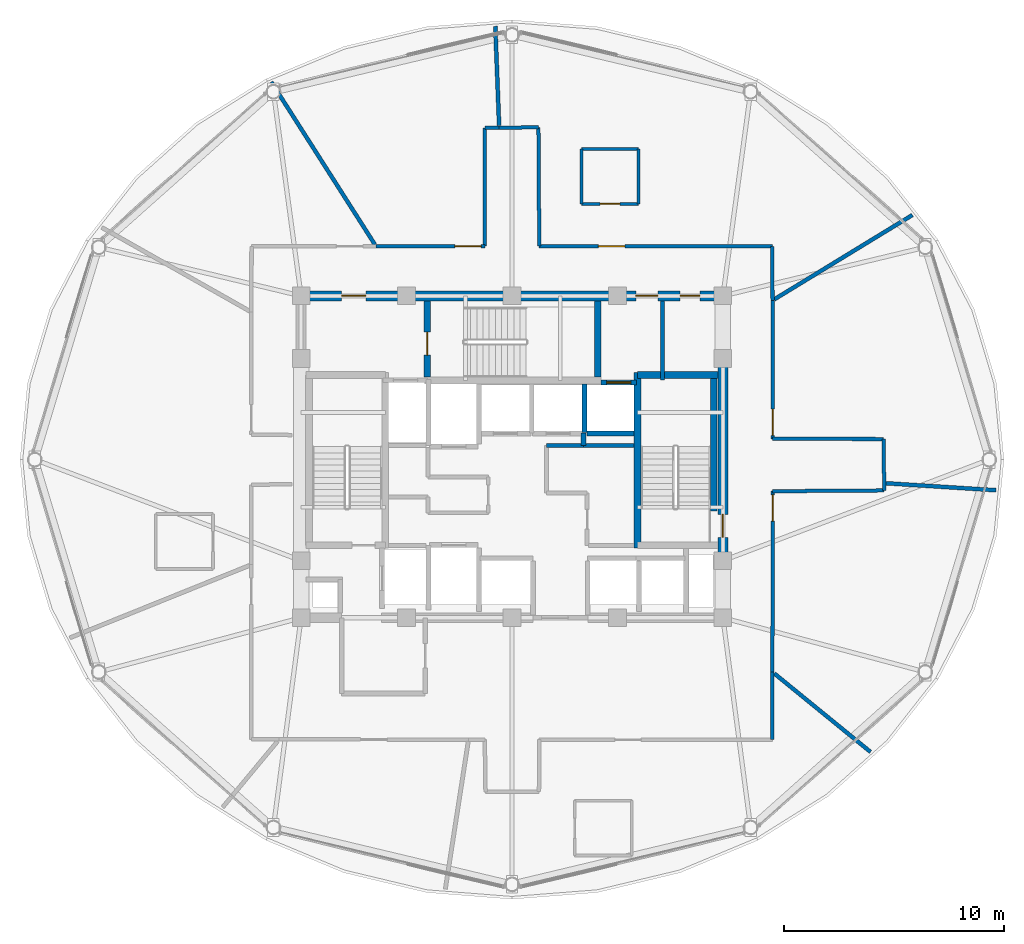
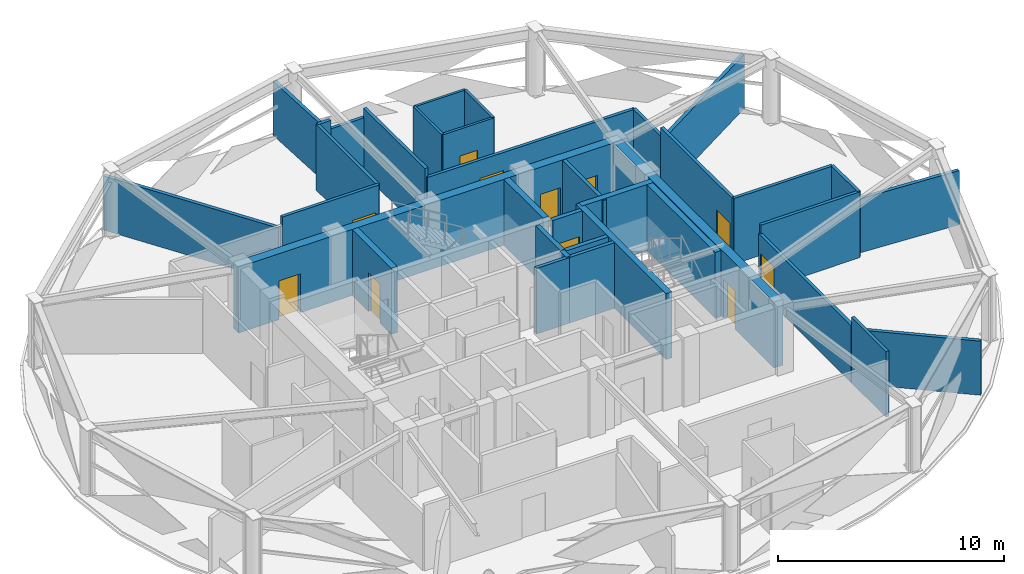
# One storey, part 23 of 28: 36 walls, 11 doors, 11 openings.
"""IFC4 building model written with IfcOpenShell, lengths in metres."""

from ifc_helpers import new_model, si_unit, direction, frame, frame_2d, origin, place, context, subcontext, project, spatial, rectangle, extrude, material, layer, layer_set, type_object, element, fill, save


model = new_model("IFC4")

# Units and contexts
model_context = context("Model", 3, precision=1e-05, world=origin(), true_north=direction((0.0, 1.0)))
body_context = subcontext(model_context, "Body", "Model", "MODEL_VIEW")
ifc_project = project(units=[si_unit("LENGTHUNIT", "METRE"), si_unit("AREAUNIT", "SQUARE_METRE"), si_unit("VOLUMEUNIT", "CUBIC_METRE"), si_unit("PLANEANGLEUNIT", "RADIAN"), si_unit("MASSUNIT", "GRAM", prefix="KILO")], contexts=[model_context])

# Site, building, storey
site_placement = place(None, origin())
site = spatial("IfcSite", under=ifc_project, at=site_placement, CompositionType="ELEMENT")
building_placement = place(site_placement, origin())
building = spatial("IfcBuilding", under=site, at=building_placement, Name="Vantalir Tower", CompositionType="ELEMENT")
storey_placement = place(building_placement, frame((0.0, 0.0, 246.14990234375)))
storey = spatial("IfcBuildingStorey", under=building, at=storey_placement, Name="L62", CompositionType="ELEMENT", Elevation=246.14990234375)

# Wall, opening, door
ifc_material_1 = material(Name="Moisture-resistant en-suite partition", Category="gypsum")
ifc_layer_1 = layer(ifc_material_1, 0.125)
ifc_layer_set_1 = layer_set([ifc_layer_1], Name="Moisture-resistant en-suite partition")
wall_type_1 = type_object("IfcWallType", Name="WL-BATH-125", PredefinedType="PARTITIONING", material=ifc_layer_set_1)
wall_1_placement = place(storey_placement, frame((34.6630859375, 36.635986328125, 0.0), z_axis=(0.0, 0.0, 1.0), x_axis=(1.0, 0.0, 0.0)))
wall_1 = element("IfcWall", 1, at=wall_1_placement, inside=storey, type_object=wall_type_1, Name="L62 En-suite 01 South Wall", PredefinedType="PARTITIONING", context=body_context, shape_type="SweptSolid", body=[
    extrude(rectangle(XDim=2.599853515625, YDim=0.125, at=frame_2d((1.2998046875, 0.0))), origin(), (0.0, 0.0, 1.0), 3.550048828125),
])
opening_1_placement = place(wall_1_placement, frame((0.85009765625, 0.0, 0.0)))
opening_1 = element("IfcOpeningElement", 2, at=opening_1_placement, cuts=wall_1, Name="Opening D-WC", PredefinedType="OPENING", context=body_context, shape_type="SweptSolid", body=[
    extrude(rectangle(XDim=0.89990234375, YDim=2.10009765625, at=frame_2d((0.449951171875, 1.050048828125))), frame((0.0, 0.072509765625, 0.0), z_axis=(0.0, -1.0, 0.0), x_axis=(1.0, 0.0, 0.0)), (0.0, 0.0, 1.0), 0.14501953125),
])
ifc_material_2 = material(Name="Moisture-resistant hardwood door", Category="wood")
door_type_1 = type_object("IfcDoorType", Name="DR-ENSUITE-900", OperationType="NOTDEFINED", PredefinedType="DOOR", material=ifc_material_2)
door_1_placement = place(opening_1_placement, origin())
door_1 = element("IfcDoor", 3, at=door_1_placement, inside=storey, type_object=door_type_1, Name="L62 En-suite 01 Door", OperationType="SINGLE_SWING_RIGHT", OverallHeight=2.10009765625, OverallWidth=0.89990234375, PredefinedType="DOOR", context=body_context, shape_type="SweptSolid", body=[
    extrude(rectangle(XDim=0.89990234375, YDim=2.10009765625, at=frame_2d((0.449951171875, 1.050048828125))), frame((0.0, 0.02490234375, 0.0), z_axis=(0.0, -1.0, 0.0), x_axis=(1.0, 0.0, 0.0)), (0.0, 0.0, 1.0), 0.050048828125),
])
fill(opening_1, door_1)

# Walls
wall_2_placement = place(storey_placement, frame((34.6630859375, 39.135986328125, 0.0), z_axis=(0.0, 0.0, 1.0), x_axis=(1.0, 0.0, 0.0)))
element("IfcWall", 4, at=wall_2_placement, inside=storey, type_object=wall_type_1, Name="L62 En-suite 01 North Wall", PredefinedType="PARTITIONING", context=body_context, shape_type="SweptSolid", body=[
    extrude(rectangle(XDim=2.599853515625, YDim=0.125, at=frame_2d((1.2998046875, 0.0))), origin(), (0.0, 0.0, 1.0), 3.550048828125),
])
for number, where, z_axis, x_axis, name in (
    (5, (34.6630859375, 36.635986328125, 0.0), (0.0, 0.0, 1.0), (0.0, 1.0, 0.0), "L62 En-suite 01 West Wall"),
    (6, (37.262939453125, 36.635986328125, 0.0), (0.0, 0.0, 1.0), (0.0, 1.0, 0.0), "L62 En-suite 01 East Wall"),
):
    element("IfcWall", number, at=place(storey_placement, frame(where, z_axis=z_axis, x_axis=x_axis)), inside=storey, type_object=wall_type_1, Name=name, PredefinedType="PARTITIONING", context=body_context, shape_type="SweptSolid", body=[
        extrude(rectangle(XDim=2.5, YDim=0.125, at=frame_2d((1.25, 0.0))), origin(), (0.0, 0.0, 1.0), 3.550048828125),
    ])

# Wall, openings, doors
ifc_material_3 = material(Name="Concrete C50/60", Category="concrete")
ifc_layer_2 = layer(ifc_material_3, 0.449951171875)
ifc_layer_set_2 = layer_set([ifc_layer_2], Name="Concrete C50/60")
wall_type_2 = type_object("IfcWallType", Name="WL-CORE-450", PredefinedType="SHEAR", material=ifc_layer_set_2)
wall_3_placement = place(storey_placement, frame((21.675048828125, 32.449951171875, 0.0), z_axis=(0.0, 0.0, 1.0), x_axis=(1.0, 0.0, 0.0)))
wall_3 = element("IfcWall", 7, at=wall_3_placement, inside=storey, type_object=wall_type_2, Name="L62 Core Shear Wall North", PredefinedType="SHEAR", context=body_context, shape_type="SweptSolid", body=[
    extrude(rectangle(XDim=19.64990234375, YDim=0.449951171875, at=frame_2d((9.824951171875, 0.0))), origin(), (0.0, 0.0, 1.0), 3.570068359375),
])
opening_2_placement = place(wall_3_placement, frame((2.074951171875, 0.0, 0.0)))
opening_2 = element("IfcOpeningElement", 8, at=opening_2_placement, cuts=wall_3, Name="Opening D-FFL", PredefinedType="OPENING", context=body_context, shape_type="SweptSolid", body=[
    extrude(rectangle(XDim=1.10009765625, YDim=2.10009765625, at=frame_2d((0.550048828125, 1.050048828125))), frame((0.0, 0.23486328125, 0.0), z_axis=(0.0, -1.0, 0.0), x_axis=(1.0, 0.0, 0.0)), (0.0, 0.0, 1.0), 0.469970703125),
])
opening_3_placement = place(wall_3_placement, frame((15.465087890625, 0.0, 0.0)))
opening_3 = element("IfcOpeningElement", 9, at=opening_3_placement, cuts=wall_3, Name="Opening D-GUEST", PredefinedType="OPENING", context=body_context, shape_type="SweptSolid", body=[
    extrude(rectangle(XDim=1.0, YDim=2.10009765625, at=frame_2d((0.5, 1.050048828125))), frame((0.0, 0.23486328125, 0.0), z_axis=(0.0, -1.0, 0.0), x_axis=(1.0, 0.0, 0.0)), (0.0, 0.0, 1.0), 0.469970703125),
])
opening_4_placement = place(wall_3_placement, frame((17.47509765625, 0.0, 0.0)))
opening_4 = element("IfcOpeningElement", 10, at=opening_4_placement, cuts=wall_3, Name="Opening D-CR", PredefinedType="OPENING", context=body_context, shape_type="SweptSolid", body=[
    extrude(rectangle(XDim=0.89990234375, YDim=2.10009765625, at=frame_2d((0.449951171875, 1.050048828125))), frame((0.0, 0.23486328125, 0.0), z_axis=(0.0, -1.0, 0.0), x_axis=(1.0, 0.0, 0.0)), (0.0, 0.0, 1.0), 0.469970703125),
])
ifc_material_4 = material(Name="Fire-rated steel core service door", Category="steel")
door_type_2 = type_object("IfcDoorType", Name="DR-CORE-SERV-900", OperationType="NOTDEFINED", PredefinedType="DOOR", material=ifc_material_4)
door_2_placement = place(opening_4_placement, frame((0.89990234375, 0.0, 0.0), z_axis=(0.0, 0.0, 1.0), x_axis=(-1.0, 0.0, 0.0)))
door_2 = element("IfcDoor", 11, at=door_2_placement, inside=storey, type_object=door_type_2, Name="L62 Housekeeping and Linen Room Door", OperationType="SINGLE_SWING_RIGHT", OverallHeight=2.10009765625, OverallWidth=0.89990234375, PredefinedType="DOOR", context=body_context, shape_type="SweptSolid", body=[
    extrude(rectangle(XDim=0.89990234375, YDim=2.10009765625, at=frame_2d((0.449951171875, 1.050048828125))), frame((0.0, 0.02490234375, 0.0), z_axis=(0.0, -1.0, 0.0), x_axis=(1.0, 0.0, 0.0)), (0.0, 0.0, 1.0), 0.050048828125),
])
fill(opening_4, door_2)
ifc_material_5 = material(Name="Fire-rated acoustic steel door", Category="steel")
door_type_3 = type_object("IfcDoorType", Name="DR-FIRE-LOBBY-1100", OperationType="NOTDEFINED", PredefinedType="DOOR", material=ifc_material_5)
door_3_placement = place(opening_2_placement, frame((1.10009765625, 0.0, 0.0), z_axis=(0.0, 0.0, 1.0), x_axis=(-1.0, 0.0, 0.0)))
door_3 = element("IfcDoor", 12, at=door_3_placement, inside=storey, type_object=door_type_3, Name="L62 Firefighting Lobby East Access Door", OperationType="SINGLE_SWING_RIGHT", OverallHeight=2.10009765625, OverallWidth=1.10009765625, PredefinedType="DOOR", context=body_context, shape_type="SweptSolid", body=[
    extrude(rectangle(XDim=1.10009765625, YDim=2.10009765625, at=frame_2d((0.550048828125, 1.050048828125))), frame((0.0, 0.02490234375, 0.0), z_axis=(0.0, -1.0, 0.0), x_axis=(1.0, 0.0, 0.0)), (0.0, 0.0, 1.0), 0.050048828125),
])
fill(opening_2, door_3)
ifc_material_6 = material(Name="Solid-core teak veneer acoustic fire door", Category="wood")
door_type_4 = type_object("IfcDoorType", Name="DR-GUEST-ENTRY-1000", OperationType="NOTDEFINED", PredefinedType="DOOR", material=ifc_material_6)
door_4_placement = place(opening_3_placement, frame((1.0, 0.0, 0.0), z_axis=(0.0, 0.0, 1.0), x_axis=(-1.0, 0.0, 0.0)))
door_4 = element("IfcDoor", 13, at=door_4_placement, inside=storey, type_object=door_type_4, Name="L62 High-Rise Lift Lobby Door", OperationType="SINGLE_SWING_LEFT", OverallHeight=2.10009765625, OverallWidth=1.0, PredefinedType="DOOR", context=body_context, shape_type="SweptSolid", body=[
    extrude(rectangle(XDim=1.0, YDim=2.10009765625, at=frame_2d((0.5, 1.050048828125))), frame((0.0, 0.02490234375, 0.0), z_axis=(0.0, -1.0, 0.0), x_axis=(1.0, 0.0, 0.0)), (0.0, 0.0, 1.0), 0.050048828125),
])
fill(opening_3, door_4)

# Wall, opening, door
wall_4_placement = place(storey_placement, frame((41.10009765625, 18.02490234375, 0.0), z_axis=(0.0, 0.0, 1.0), x_axis=(0.0, 1.0, 0.0)))
wall_4 = element("IfcWall", 14, at=wall_4_placement, inside=storey, type_object=wall_type_2, Name="L62 Core Shear Wall East", PredefinedType="SHEAR", context=body_context, shape_type="SweptSolid", body=[
    extrude(rectangle(XDim=14.2001953125, YDim=0.449951171875, at=frame_2d((7.10009765625, 0.0))), origin(), (0.0, 0.0, 1.0), 3.570068359375),
])
opening_5_placement = place(wall_4_placement, frame((3.43505859375, 0.0, 0.0)))
opening_5 = element("IfcOpeningElement", 15, at=opening_5_placement, cuts=wall_4, Name="Opening D-ST", PredefinedType="OPENING", context=body_context, shape_type="SweptSolid", body=[
    extrude(rectangle(XDim=1.050048828125, YDim=2.10009765625, at=frame_2d((0.52490234375, 1.050048828125))), frame((0.0, 0.23486328125, 0.0), z_axis=(0.0, -1.0, 0.0), x_axis=(1.0, 0.0, 0.0)), (0.0, 0.0, 1.0), 0.469970703125),
])
ifc_material_7 = material(Name="Fire-rated steel door leaf", Category="steel")
door_type_5 = type_object("IfcDoorType", Name="DR-FIRE-STAIR-1050", OperationType="NOTDEFINED", PredefinedType="DOOR", material=ifc_material_7)
door_5_placement = place(opening_5_placement, origin())
door_5 = element("IfcDoor", 16, at=door_5_placement, inside=storey, type_object=door_type_5, Name="L62 Exit Stair ST2 Fire Door", OperationType="SINGLE_SWING_LEFT", OverallHeight=2.10009765625, OverallWidth=1.050048828125, PredefinedType="DOOR", context=body_context, shape_type="SweptSolid", body=[
    extrude(rectangle(XDim=1.050048828125, YDim=2.10009765625, at=frame_2d((0.52490234375, 1.050048828125))), frame((0.0, 0.02490234375, 0.0), z_axis=(0.0, -1.0, 0.0), x_axis=(1.0, 0.0, 0.0)), (0.0, 0.0, 1.0), 0.050048828125),
])
fill(opening_5, door_5)

ifc_material_8 = material(Name="Fire-rated hotel corridor acoustic partition", Category="gypsum")
ifc_layer_3 = layer(ifc_material_8, 0.159912109375)
ifc_layer_set_3 = layer_set([ifc_layer_3], Name="Fire-rated hotel corridor acoustic partition")
wall_type_3 = type_object("IfcWallType", Name="WL-CORR-160", PredefinedType="PARTITIONING", material=ifc_layer_set_3)
wall_5_placement = place(storey_placement, frame((25.31103515625, 34.7080078125, 0.0), z_axis=(0.0, 0.0, 1.0), x_axis=(0.999998976672, 0.001430613701, 0.0)))
wall_5 = element("IfcWall", 17, at=wall_5_placement, inside=storey, type_object=wall_type_3, Name="L62 Corridor Partition 05", PredefinedType="PARTITIONING", context=body_context, shape_type="SweptSolid", body=[
    extrude(rectangle(XDim=4.948974609375, YDim=0.159912109375, at=frame_2d((2.474609375, 0.0))), origin(), (0.0, 0.0, 1.0), 3.550048828125),
])
opening_6_placement = place(wall_5_placement, frame((3.589111328125, 0.0, 0.0)))
opening_6 = element("IfcOpeningElement", 18, at=opening_6_placement, cuts=wall_5, Name="Opening D-STE", PredefinedType="OPENING", context=body_context, shape_type="SweptSolid", body=[
    extrude(rectangle(XDim=1.199951171875, YDim=2.10009765625, at=frame_2d((0.60009765625, 1.050048828125))), frame((0.0, 0.08984375, 0.0), z_axis=(0.0, -1.0, 0.0), x_axis=(1.0, 0.0, 0.0)), (0.0, 0.0, 1.0), 0.179931640625),
])
ifc_material_9 = material(Name="Solid-core teak veneer suite entrance door", Category="wood")
door_type_6 = type_object("IfcDoorType", Name="DR-SUITE-ENTRY-1200", OperationType="NOTDEFINED", PredefinedType="DOOR", material=ifc_material_9)
door_6_placement = place(opening_6_placement, origin())
door_6 = element("IfcDoor", 19, at=door_6_placement, inside=storey, type_object=door_type_6, Name="L62 Club Reading Lounge 02 Door", OperationType="SINGLE_SWING_LEFT", OverallHeight=2.10009765625, OverallWidth=1.199951171875, PredefinedType="DOOR", context=body_context, shape_type="SweptSolid", body=[
    extrude(rectangle(XDim=1.199951171875, YDim=2.10009765625, at=frame_2d((0.60009765625, 1.050048828125))), frame((0.0, 0.02490234375, 0.0), z_axis=(0.0, -1.0, 0.0), x_axis=(1.0, 0.0, 0.0)), (0.0, 0.0, 1.0), 0.050048828125),
])
fill(opening_6, door_6)

# Walls
wall_6_placement = place(storey_placement, frame((30.260009765625, 34.715087890625, 0.0), z_axis=(0.0, 0.0, 1.0), x_axis=(0.000544266973, 0.999999851887, 0.0)))
element("IfcWall", 20, at=wall_6_placement, inside=storey, type_object=wall_type_3, Name="L62 Corridor Partition 06", PredefinedType="PARTITIONING", context=body_context, shape_type="SweptSolid", body=[
    extrude(rectangle(XDim=5.3828125, YDim=0.159912109375, at=frame_2d((2.69140625, 0.0))), origin(), (0.0, 0.0, 1.0), 3.550048828125),
])
wall_7_placement = place(storey_placement, frame((30.262939453125, 40.097900390625, 0.0), z_axis=(0.0, 0.0, 1.0), x_axis=(0.999941415543, 0.010824300504, 0.0)))
element("IfcWall", 21, at=wall_7_placement, inside=storey, type_object=wall_type_3, Name="L62 Corridor Partition 07", PredefinedType="PARTITIONING", context=body_context, shape_type="SweptSolid", body=[
    extrude(rectangle(XDim=0.654052734375, YDim=0.159912109375, at=frame_2d((0.3271484375, 0.0))), origin(), (0.0, 0.0, 1.0), 3.550048828125),
])
wall_8_placement = place(storey_placement, frame((30.9169921875, 40.10498046875, 0.0), z_axis=(0.0, 0.0, 1.0), x_axis=(0.999948905048, 0.010108773084, 0.0)))
element("IfcWall", 22, at=wall_8_placement, inside=storey, type_object=wall_type_3, Name="L62 Corridor Partition 08", PredefinedType="PARTITIONING", context=body_context, shape_type="SweptSolid", body=[
    extrude(rectangle(XDim=1.787109375, YDim=0.159912109375, at=frame_2d((0.8935546875, 0.0))), origin(), (0.0, 0.0, 1.0), 3.0810546875),
])
wall_9_placement = place(storey_placement, frame((32.7041015625, 40.123046875, 0.0), z_axis=(0.0, 0.0, 1.0), x_axis=(0.006636123117, -0.999977980693, 0.0)))
element("IfcWall", 23, at=wall_9_placement, inside=storey, type_object=wall_type_3, Name="L62 Corridor Partition 09", PredefinedType="PARTITIONING", context=body_context, shape_type="SweptSolid", body=[
    extrude(rectangle(XDim=5.407958984375, YDim=0.159912109375, at=frame_2d((2.7041015625, 0.0))), origin(), (0.0, 0.0, 1.0), 3.550048828125),
])

# Wall, opening, door
wall_10_placement = place(storey_placement, frame((32.739990234375, 34.715087890625, 0.0), z_axis=(0.0, 0.0, 1.0), x_axis=(0.99999933853, -0.001150191321, 0.0)))
wall_10 = element("IfcWall", 24, at=wall_10_placement, inside=storey, type_object=wall_type_3, Name="L62 Corridor Partition 10", PredefinedType="PARTITIONING", context=body_context, shape_type="SweptSolid", body=[
    extrude(rectangle(XDim=10.613037109375, YDim=0.159912109375, at=frame_2d((5.306640625, 0.0))), origin(), (0.0, 0.0, 1.0), 3.0810546875),
])
opening_7_placement = place(wall_10_placement, frame((2.694091796875, 0.0, 0.0)))
opening_7 = element("IfcOpeningElement", 25, at=opening_7_placement, cuts=wall_10, Name="Opening D-STE", PredefinedType="OPENING", context=body_context, shape_type="SweptSolid", body=[
    extrude(rectangle(XDim=1.199951171875, YDim=2.10009765625, at=frame_2d((0.60009765625, 1.050048828125))), frame((0.0, 0.08984375, 0.0), z_axis=(0.0, -1.0, 0.0), x_axis=(1.0, 0.0, 0.0)), (0.0, 0.0, 1.0), 0.179931640625),
])
door_7_placement = place(opening_7_placement, origin())
door_7 = element("IfcDoor", 26, at=door_7_placement, inside=storey, type_object=door_type_6, Name="L62 Royal Ambassador Hotel Suite 01 Door", OperationType="SINGLE_SWING_RIGHT", OverallHeight=2.10009765625, OverallWidth=1.199951171875, PredefinedType="DOOR", context=body_context, shape_type="SweptSolid", body=[
    extrude(rectangle(XDim=1.199951171875, YDim=2.10009765625, at=frame_2d((0.60009765625, 1.050048828125))), frame((0.0, 0.02490234375, 0.0), z_axis=(0.0, -1.0, 0.0), x_axis=(1.0, 0.0, 0.0)), (0.0, 0.0, 1.0), 0.050048828125),
])
fill(opening_7, door_7)

# Wall
wall_11_placement = place(storey_placement, frame((43.35302734375, 34.702880859375, 0.0), z_axis=(0.0, 0.0, 1.0), x_axis=(0.001587929717, -0.999998739239, 0.0)))
element("IfcWall", 27, at=wall_11_placement, inside=storey, type_object=wall_type_3, Name="L62 Corridor Partition 11", PredefinedType="PARTITIONING", context=body_context, shape_type="SweptSolid", body=[
    extrude(rectangle(XDim=2.4599609375, YDim=0.159912109375, at=frame_2d((1.22998046875, 0.0))), origin(), (0.0, 0.0, 1.0), 3.0810546875),
])

# Wall, opening, door
wall_12_placement = place(storey_placement, frame((43.35693359375, 32.242919921875, 0.0), z_axis=(0.0, 0.0, 1.0), x_axis=(0.00127822648, -0.999999183068, 0.0)))
wall_12 = element("IfcWall", 28, at=wall_12_placement, inside=storey, type_object=wall_type_3, Name="L62 Corridor Partition 12", PredefinedType="PARTITIONING", context=body_context, shape_type="SweptSolid", body=[
    extrude(rectangle(XDim=6.302978515625, YDim=0.159912109375, at=frame_2d((3.1513671875, 0.0))), origin(), (0.0, 0.0, 1.0), 3.550048828125),
])
opening_8_placement = place(wall_12_placement, frame((4.943115234375, 0.0, 0.0)))
opening_8 = element("IfcOpeningElement", 29, at=opening_8_placement, cuts=wall_12, Name="Opening D-STE", PredefinedType="OPENING", context=body_context, shape_type="SweptSolid", body=[
    extrude(rectangle(XDim=1.199951171875, YDim=2.10009765625, at=frame_2d((0.60009765625, 1.050048828125))), frame((0.0, 0.08984375, 0.0), z_axis=(0.0, -1.0, 0.0), x_axis=(1.0, 0.0, 0.0)), (0.0, 0.0, 1.0), 0.179931640625),
])
door_8_placement = place(opening_8_placement, origin())
door_8 = element("IfcDoor", 30, at=door_8_placement, inside=storey, type_object=door_type_6, Name="L62 Executive Sky Boardroom 09 Door", OperationType="SINGLE_SWING_RIGHT", OverallHeight=2.10009765625, OverallWidth=1.199951171875, PredefinedType="DOOR", context=body_context, shape_type="SweptSolid", body=[
    extrude(rectangle(XDim=1.199951171875, YDim=2.10009765625, at=frame_2d((0.60009765625, 1.050048828125))), frame((0.0, 0.02490234375, 0.0), z_axis=(0.0, -1.0, 0.0), x_axis=(1.0, 0.0, 0.0)), (0.0, 0.0, 1.0), 0.050048828125),
])
fill(opening_8, door_8)

# Walls
wall_13_placement = place(storey_placement, frame((43.364990234375, 25.93994140625, 0.0), z_axis=(0.0, 0.0, 1.0), x_axis=(0.999999831724, -0.000580130432, 0.0)))
element("IfcWall", 31, at=wall_13_placement, inside=storey, type_object=wall_type_3, Name="L62 Corridor Partition 13", PredefinedType="PARTITIONING", context=body_context, shape_type="SweptSolid", body=[
    extrude(rectangle(XDim=5.050048828125, YDim=0.159912109375, at=frame_2d((2.52490234375, 0.0))), origin(), (0.0, 0.0, 1.0), 3.550048828125),
])
wall_14_placement = place(storey_placement, frame((48.4150390625, 25.93701171875, 0.0), z_axis=(0.0, 0.0, 1.0), x_axis=(0.010636586698, -0.999943429912, 0.0)))
element("IfcWall", 32, at=wall_14_placement, inside=storey, type_object=wall_type_3, Name="L62 Corridor Partition 14", PredefinedType="PARTITIONING", context=body_context, shape_type="SweptSolid", body=[
    extrude(rectangle(XDim=2.34130859375, YDim=0.159912109375, at=frame_2d((1.170654296875, 0.0))), origin(), (0.0, 0.0, 1.0), 3.550048828125),
])
wall_15_placement = place(storey_placement, frame((48.43994140625, 23.595947265625, 0.0), z_axis=(0.0, 0.0, 1.0), x_axis=(-0.999974996273, -0.007071550702, 0.0)))
element("IfcWall", 33, at=wall_15_placement, inside=storey, type_object=wall_type_3, Name="L62 Corridor Partition 15", PredefinedType="PARTITIONING", context=body_context, shape_type="SweptSolid", body=[
    extrude(rectangle(XDim=5.0751953125, YDim=0.159912109375, at=frame_2d((2.53759765625, 0.0))), origin(), (0.0, 0.0, 1.0), 3.550048828125),
])

# Wall, opening, door
wall_16_placement = place(storey_placement, frame((43.364990234375, 23.56005859375, 0.0), z_axis=(0.0, 0.0, 1.0), x_axis=(-0.001335548165, -0.999999108155, 0.0)))
wall_16 = element("IfcWall", 34, at=wall_16_placement, inside=storey, type_object=wall_type_3, Name="L62 Corridor Partition 16", PredefinedType="PARTITIONING", context=body_context, shape_type="SweptSolid", body=[
    extrude(rectangle(XDim=8.22607421875, YDim=0.159912109375, at=frame_2d((4.113037109375, 0.0))), origin(), (0.0, 0.0, 1.0), 3.0810546875),
])
opening_9_placement = place(wall_16_placement, frame((0.159912109375, 0.0, 0.0)))
opening_9 = element("IfcOpeningElement", 35, at=opening_9_placement, cuts=wall_16, Name="Opening D-STE", PredefinedType="OPENING", context=body_context, shape_type="SweptSolid", body=[
    extrude(rectangle(XDim=1.199951171875, YDim=2.10009765625, at=frame_2d((0.60009765625, 1.050048828125))), frame((0.0, 0.08984375, 0.0), z_axis=(0.0, -1.0, 0.0), x_axis=(1.0, 0.0, 0.0)), (0.0, 0.0, 1.0), 0.179931640625),
])
door_9_placement = place(opening_9_placement, origin())
door_9 = element("IfcDoor", 36, at=door_9_placement, inside=storey, type_object=door_type_6, Name="L62 Executive Sky Boardroom 08 Door", OperationType="SINGLE_SWING_LEFT", OverallHeight=2.10009765625, OverallWidth=1.199951171875, PredefinedType="DOOR", context=body_context, shape_type="SweptSolid", body=[
    extrude(rectangle(XDim=1.199951171875, YDim=2.10009765625, at=frame_2d((0.60009765625, 1.050048828125))), frame((0.0, 0.02490234375, 0.0), z_axis=(0.0, -1.0, 0.0), x_axis=(1.0, 0.0, 0.0)), (0.0, 0.0, 1.0), 0.050048828125),
])
fill(opening_9, door_9)

# Walls
wall_17_placement = place(storey_placement, frame((43.35400390625, 15.333984375, 0.0), z_axis=(0.0, 0.0, 1.0), x_axis=(-0.00127034435, -0.999999193112, 0.0)))
element("IfcWall", 37, at=wall_17_placement, inside=storey, type_object=wall_type_3, Name="L62 Corridor Partition 17", PredefinedType="PARTITIONING", context=body_context, shape_type="SweptSolid", body=[
    extrude(rectangle(XDim=3.074951171875, YDim=0.159912109375, at=frame_2d((1.53759765625, 0.0))), origin(), (0.0, 0.0, 1.0), 3.550048828125),
])
ifc_material_10 = material(Name="Concrete blockwork with fireboard lining", Category="masonry")
ifc_layer_4 = layer(ifc_material_10, 0.219970703125)
ifc_layer_set_4 = layer_set([ifc_layer_4], Name="Concrete blockwork with fireboard lining")
wall_type_4 = type_object("IfcWallType", Name="WL-FFL-220", PredefinedType="PARTITIONING", material=ifc_layer_set_4)
wall_18_placement = place(storey_placement, frame((34.800048828125, 26.22998046875, 0.0), z_axis=(0.0, 0.0, 1.0), x_axis=(0.0, 1.0, 0.0)))
element("IfcWall", 38, at=wall_18_placement, inside=storey, type_object=wall_type_4, Name="L62 High-Rise Lift PL-H2/H3 Shaft Divider", PredefinedType="PARTITIONING", context=body_context, shape_type="SweptSolid", body=[
    extrude(rectangle(XDim=2.2099609375, YDim=0.219970703125, at=frame_2d((1.10498046875, 0.0))), origin(), (0.0, 0.0, 1.0), 3.545166015625),
])
wall_19_placement = place(storey_placement, frame((34.909912109375, 26.18994140625, 0.0), z_axis=(0.0, 0.0, 1.0), x_axis=(1.0, 0.0, 0.0)))
element("IfcWall", 39, at=wall_19_placement, inside=storey, type_object=wall_type_4, Name="L62 High-Rise Lift PL-H3 Rear Shaft Wall", PredefinedType="PARTITIONING", context=body_context, shape_type="SweptSolid", body=[
    extrude(rectangle(XDim=2.14013671875, YDim=0.219970703125, at=frame_2d((1.070068359375, 0.0))), origin(), (0.0, 0.0, 1.0), 3.545166015625),
])

# Wall, opening, door
wall_20_placement = place(storey_placement, frame((35.56005859375, 28.510009765625, 0.0), z_axis=(0.0, 0.0, 1.0), x_axis=(1.0, 0.0, 0.0)))
wall_20 = element("IfcWall", 40, at=wall_20_placement, inside=storey, type_object=wall_type_4, Name="L62 Lift PL-H3 Shaft Front Wall", PredefinedType="PARTITIONING", context=body_context, shape_type="SweptSolid", body=[
    extrude(rectangle(XDim=1.599853515625, YDim=0.219970703125, at=frame_2d((0.7998046875, 0.0))), origin(), (0.0, 0.0, 1.0), 3.550048828125),
])
opening_10_placement = place(wall_20_placement, frame((0.25, 0.0, 0.0)))
opening_10 = element("IfcOpeningElement", 41, at=opening_10_placement, cuts=wall_20, Name="Opening LD-PL-H3", PredefinedType="OPENING", context=body_context, shape_type="SweptSolid", body=[
    extrude(rectangle(XDim=1.10009765625, YDim=2.199951171875, at=frame_2d((0.550048828125, 1.10009765625))), frame((0.0, 0.119873046875, 0.0), z_axis=(0.0, -1.0, 0.0), x_axis=(1.0, 0.0, 0.0)), (0.0, 0.0, 1.0), 0.239990234375),
])
ifc_material_11 = material(Name="Brushed stainless-steel sliding lift landing door", Category="steel")
door_type_7 = type_object("IfcDoorType", Name="DR-LIFT-LANDING-1100", OperationType="DOUBLE_DOOR_SLIDING", PredefinedType="DOOR", material=ifc_material_11)
door_10_placement = place(opening_10_placement, origin())
door_10 = element("IfcDoor", 42, at=door_10_placement, inside=storey, type_object=door_type_7, Name="L62 Lift Landing Door PL-H3", OperationType="DOUBLE_DOOR_SLIDING", OverallHeight=2.199951171875, OverallWidth=1.10009765625, PredefinedType="DOOR", context=body_context, shape_type="SweptSolid", body=[
    extrude(rectangle(XDim=1.10009765625, YDim=2.199951171875, at=frame_2d((0.550048828125, 1.10009765625))), frame((0.0, 0.02490234375, 0.0), z_axis=(0.0, -1.0, 0.0), x_axis=(1.0, 0.0, 0.0)), (0.0, 0.0, 1.0), 0.050048828125),
])
fill(opening_10, door_10)

# Walls
wall_21_placement = place(storey_placement, frame((34.760009765625, 25.64990234375, 0.0), z_axis=(0.0, 0.0, 1.0), x_axis=(0.0, 1.0, 0.0)))
element("IfcWall", 43, at=wall_21_placement, inside=storey, type_object=wall_type_4, Name="L62 High-Rise Shaft Shoulder Wall", PredefinedType="PARTITIONING", context=body_context, shape_type="SweptSolid", body=[
    extrude(rectangle(XDim=0.570068359375, YDim=0.219970703125, at=frame_2d((0.28515625, 0.0))), origin(), (0.0, 0.0, 1.0), 3.550048828125),
])
ifc_material_12 = material(Name="Twin-stud acoustic fire-rated gypsum partition", Category="gypsum")
ifc_layer_5 = layer(ifc_material_12, 0.179931640625)
ifc_layer_set_5 = layer_set([ifc_layer_5], Name="Twin-stud acoustic fire-rated gypsum partition")
wall_type_5 = type_object("IfcWallType", Name="WL-GUEST-180", PredefinedType="PARTITIONING", material=ifc_layer_set_5)
wall_22_placement = place(storey_placement, frame((34.719970703125, 25.64990234375, 0.0), z_axis=(0.0, 0.0, 1.0), x_axis=(1.0, 0.0, 0.0)))
element("IfcWall", 44, at=wall_22_placement, inside=storey, type_object=wall_type_5, Name="L62 Freed East Core North Wall", PredefinedType="PARTITIONING", context=body_context, shape_type="SweptSolid", body=[
    extrude(rectangle(XDim=2.340087890625, YDim=0.179931640625, at=frame_2d((1.169921875, 0.0))), origin(), (0.0, 0.0, 1.0), 3.550048828125),
])
wall_23_placement = place(storey_placement, frame((33.080078125, 25.64990234375, 0.0), z_axis=(0.0, 0.0, 1.0), x_axis=(1.0, 0.0, 0.0)))
element("IfcWall", 45, at=wall_23_placement, inside=storey, type_object=wall_type_5, Name="L62 East Core Alcove North Wall", PredefinedType="PARTITIONING", context=body_context, shape_type="SweptSolid", body=[
    extrude(rectangle(XDim=1.679931640625, YDim=0.179931640625, at=frame_2d((0.83984375, 0.0))), origin(), (0.0, 0.0, 1.0), 3.550048828125),
])
wall_24_placement = place(storey_placement, frame((38.340087890625, 28.6201171875, 0.0), z_axis=(0.0, 0.0, 1.0), x_axis=(0.0, 1.0, 0.0)))
element("IfcWall", 46, at=wall_24_placement, inside=storey, type_object=wall_type_5, Name="L62 High-Rise Lift Lobby East Wall", PredefinedType="PARTITIONING", context=body_context, shape_type="SweptSolid", body=[
    extrude(rectangle(XDim=3.60498046875, YDim=0.179931640625, at=frame_2d((1.802490234375, 0.0))), origin(), (0.0, 0.0, 1.0), 3.550048828125),
])
wall_25_placement = place(storey_placement, frame((43.43994140625, 32.2939453125, 0.0), z_axis=(0.0, 0.0, 1.0), x_axis=(0.853414575763, 0.521232732928, 0.0)))
element("IfcWall", 47, at=wall_25_placement, inside=storey, type_object=wall_type_5, Name="L62 Radial Suite Partition 01", PredefinedType="PARTITIONING", context=body_context, shape_type="SweptSolid", body=[
    extrude(rectangle(XDim=7.363525390625, YDim=0.179931640625, at=frame_2d((3.681640625, 0.0))), origin(), (0.0, 0.0, 1.0), 2.925048828125),
])
wall_26_placement = place(storey_placement, frame((30.9140625, 40.197998046875, 0.0), z_axis=(0.0, 0.0, 1.0), x_axis=(-0.038656743146, 0.999252548763, 0.0)))
element("IfcWall", 48, at=wall_26_placement, inside=storey, type_object=wall_type_5, Name="L62 Radial Suite Partition 02", PredefinedType="PARTITIONING", context=body_context, shape_type="SweptSolid", body=[
    extrude(rectangle(XDim=4.5283203125, YDim=0.179931640625, at=frame_2d((2.26416015625, 0.0))), origin(), (0.0, 0.0, 1.0), 2.925048828125),
])
wall_27_placement = place(storey_placement, frame((25.259033203125, 34.7900390625, 0.0), z_axis=(0.0, 0.0, 1.0), x_axis=(-0.537619190812, 0.843187764185, 0.0)))
element("IfcWall", 49, at=wall_27_placement, inside=storey, type_object=wall_type_5, Name="L62 Radial Suite Partition 03", PredefinedType="PARTITIONING", context=body_context, shape_type="SweptSolid", body=[
    extrude(rectangle(XDim=8.770263671875, YDim=0.179931640625, at=frame_2d((4.38525390625, 0.0))), origin(), (0.0, 0.0, 1.0), 2.925048828125),
])
wall_28_placement = place(storey_placement, frame((43.43994140625, 15.263916015625, 0.0), z_axis=(0.0, 0.0, 1.0), x_axis=(0.77500924649, -0.631949893469, 0.0)))
element("IfcWall", 50, at=wall_28_placement, inside=storey, type_object=wall_type_5, Name="L62 Radial Suite Partition 08", PredefinedType="PARTITIONING", context=body_context, shape_type="SweptSolid", body=[
    extrude(rectangle(XDim=5.650390625, YDim=0.179931640625, at=frame_2d((2.8251953125, 0.0))), origin(), (0.0, 0.0, 1.0), 2.925048828125),
])
wall_29_placement = place(storey_placement, frame((48.514892578125, 23.923095703125, 0.0), z_axis=(0.0, 0.0, 1.0), x_axis=(0.997995081833, -0.063291521057, 0.0)))
element("IfcWall", 51, at=wall_29_placement, inside=storey, type_object=wall_type_5, Name="L62 Radial Suite Partition 09", PredefinedType="PARTITIONING", context=body_context, shape_type="SweptSolid", body=[
    extrude(rectangle(XDim=5.026123046875, YDim=0.179931640625, at=frame_2d((2.51318359375, 0.0))), origin(), (0.0, 0.0, 1.0), 2.925048828125),
])
ifc_layer_6 = layer(ifc_material_3, 0.300048828125)
ifc_layer_set_6 = layer_set([ifc_layer_6], Name="Concrete C50/60")
wall_type_6 = type_object("IfcWallType", Name="WL-STAIR-300", PredefinedType="SHEAR", material=ifc_layer_set_6)
wall_30_placement = place(storey_placement, frame((37.2099609375, 28.85009765625, 0.0), z_axis=(0.0, 0.0, 1.0), x_axis=(1.0, 0.0, 0.0)))
element("IfcWall", 52, at=wall_30_placement, inside=storey, type_object=wall_type_6, Name="L62 Stair ST2 North Wall", PredefinedType="SHEAR", context=body_context, shape_type="SweptSolid", body=[
    extrude(rectangle(XDim=3.6650390625, YDim=0.300048828125, at=frame_2d((1.83251953125, 0.0))), origin(), (0.0, 0.0, 1.0), 3.570068359375),
])
wall_31_placement = place(storey_placement, frame((37.2099609375, 20.97998046875, 0.0), z_axis=(0.0, 0.0, 1.0), x_axis=(0.0, 1.0, 0.0)))
element("IfcWall", 53, at=wall_31_placement, inside=storey, type_object=wall_type_6, Name="L62 Stair ST2 West Wall", PredefinedType="SHEAR", context=body_context, shape_type="SweptSolid", body=[
    extrude(rectangle(XDim=7.989990234375, YDim=0.300048828125, at=frame_2d((3.9951171875, 0.0))), origin(), (0.0, 0.0, 1.0), 3.570068359375),
])
wall_32_placement = place(storey_placement, frame((40.68994140625, 22.64990234375, 0.0), z_axis=(0.0, 0.0, 1.0), x_axis=(0.0, 1.0, 0.0)))
element("IfcWall", 54, at=wall_32_placement, inside=storey, type_object=wall_type_6, Name="L62 Stair ST2 East Liner Wall", PredefinedType="SHEAR", context=body_context, shape_type="SweptSolid", body=[
    extrude(rectangle(XDim=6.2001953125, YDim=0.300048828125, at=frame_2d((3.10009765625, 0.0))), origin(), (0.0, 0.0, 1.0), 3.570068359375),
])

# Wall, opening, door
wall_33_placement = place(storey_placement, frame((27.64990234375, 28.75, 0.0), z_axis=(0.0, 0.0, 1.0), x_axis=(0.0, 1.0, 0.0)))
wall_33 = element("IfcWall", 55, at=wall_33_placement, inside=storey, type_object=wall_type_6, Name="L62 Stair ST3 West Wall", PredefinedType="SHEAR", context=body_context, shape_type="SweptSolid", body=[
    extrude(rectangle(XDim=3.47509765625, YDim=0.300048828125, at=frame_2d((1.737548828125, 0.0))), origin(), (0.0, 0.0, 1.0), 3.570068359375),
])
opening_11_placement = place(wall_33_placement, frame((1.0, 0.0, 0.0)))
opening_11 = element("IfcOpeningElement", 56, at=opening_11_placement, cuts=wall_33, Name="Opening D-ST", PredefinedType="OPENING", context=body_context, shape_type="SweptSolid", body=[
    extrude(rectangle(XDim=1.050048828125, YDim=2.10009765625, at=frame_2d((0.52490234375, 1.050048828125))), frame((0.0, 0.159912109375, 0.0), z_axis=(0.0, -1.0, 0.0), x_axis=(1.0, 0.0, 0.0)), (0.0, 0.0, 1.0), 0.320068359375),
])
door_11_placement = place(opening_11_placement, frame((1.050048828125, 0.0, 0.0), z_axis=(0.0, 0.0, 1.0), x_axis=(-1.0, 0.0, 0.0)))
door_11 = element("IfcDoor", 57, at=door_11_placement, inside=storey, type_object=door_type_5, Name="L62 Exit Stair ST3 Fire Door", OperationType="SINGLE_SWING_LEFT", OverallHeight=2.10009765625, OverallWidth=1.050048828125, PredefinedType="DOOR", context=body_context, shape_type="SweptSolid", body=[
    extrude(rectangle(XDim=1.050048828125, YDim=2.10009765625, at=frame_2d((0.52490234375, 1.050048828125))), frame((0.0, 0.02490234375, 0.0), z_axis=(0.0, -1.0, 0.0), x_axis=(1.0, 0.0, 0.0)), (0.0, 0.0, 1.0), 0.050048828125),
])
fill(opening_11, door_11)

# Wall
wall_34_placement = place(storey_placement, frame((35.39990234375, 28.75, 0.0), z_axis=(0.0, 0.0, 1.0), x_axis=(0.0, 1.0, 0.0)))
element("IfcWall", 58, at=wall_34_placement, inside=storey, type_object=wall_type_6, Name="L62 Stair ST3 East Wall", PredefinedType="SHEAR", context=body_context, shape_type="SweptSolid", body=[
    extrude(rectangle(XDim=3.47509765625, YDim=0.300048828125, at=frame_2d((1.737548828125, 0.0))), origin(), (0.0, 0.0, 1.0), 3.570068359375),
])

save(model, "model.ifc")
